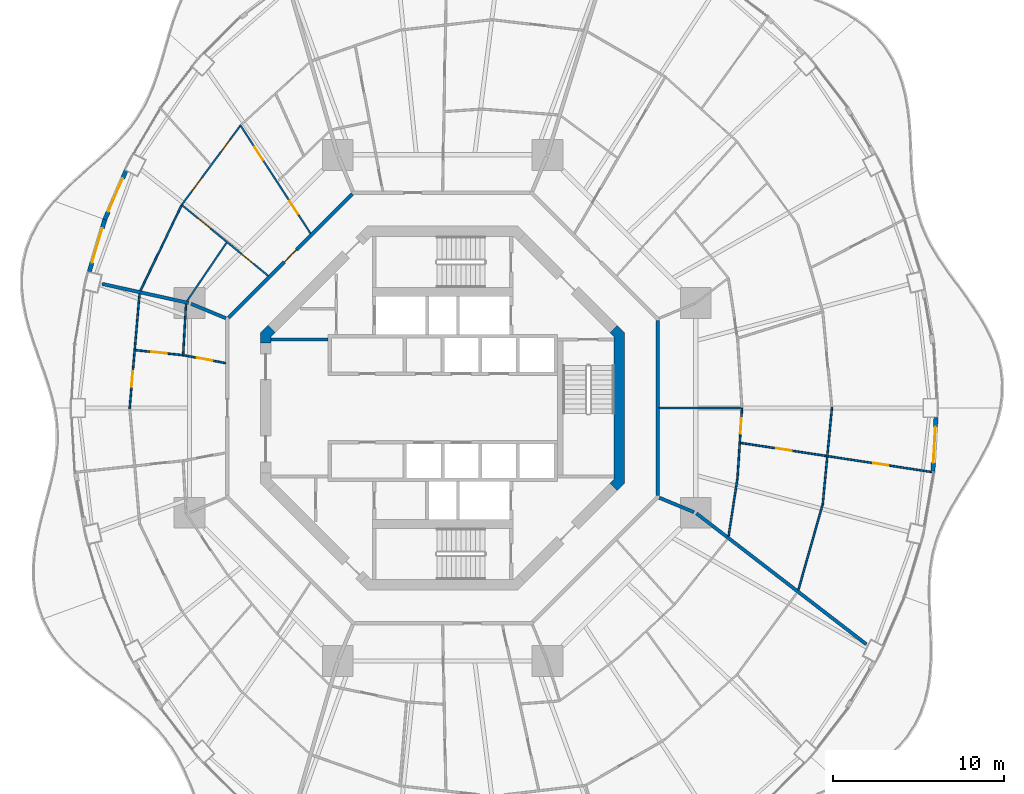
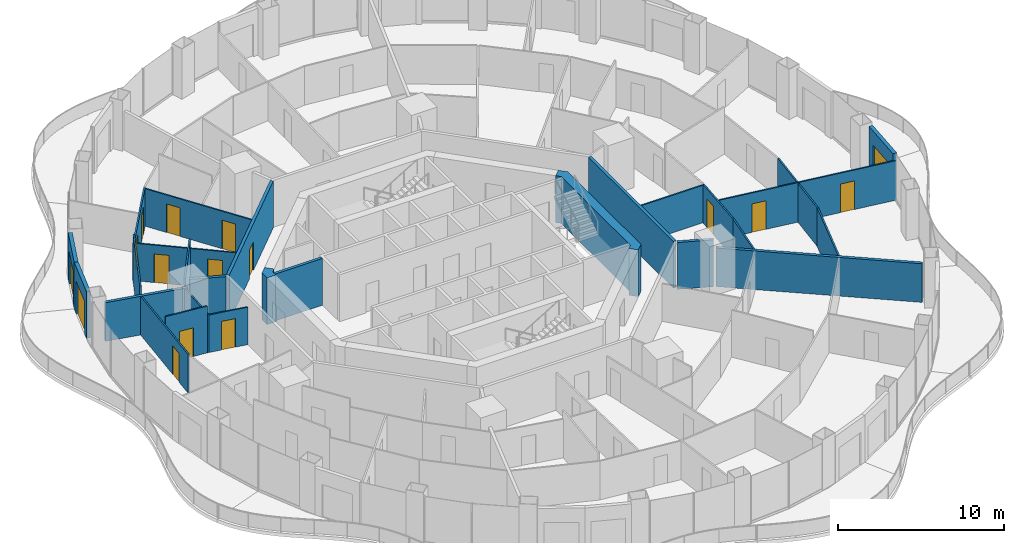
# One storey, part 13 of 19: 27 walls, 16 doors, 16 openings.
"""IFC4 building model written with IfcOpenShell, lengths in metres."""

from ifc_helpers import new_model, si_unit, direction, frame, frame_2d, origin, place, context, subcontext, project, spatial, polyline, rectangle, outline, extrude, material, layer, layer_set, type_object, element, fill, save


model = new_model("IFC4")

# Units and contexts
model_context = context("Model", 3, precision=1e-05, world=origin(), true_north=direction((0.0, 1.0)))
body_context = subcontext(model_context, "Body", "Model", "MODEL_VIEW")
ifc_project = project(units=[si_unit("LENGTHUNIT", "METRE"), si_unit("AREAUNIT", "SQUARE_METRE"), si_unit("VOLUMEUNIT", "CUBIC_METRE"), si_unit("PLANEANGLEUNIT", "RADIAN"), si_unit("MASSUNIT", "GRAM", prefix="KILO")], contexts=[model_context])

# Site, building, storey
site_placement = place(None, origin())
site = spatial("IfcSite", under=ifc_project, at=site_placement, CompositionType="ELEMENT")
building_placement = place(site_placement, origin())
building = spatial("IfcBuilding", under=site, at=building_placement, Name="Nagisa Residences", CompositionType="ELEMENT")
storey_placement = place(building_placement, frame((0.0, 0.0, 184.39990234375)))
storey = spatial("IfcBuildingStorey", under=building, at=storey_placement, Name="L46", CompositionType="ELEMENT", Elevation=184.39990234375)

# Walls
ifc_material_1 = material(Name="Gypsum board on steel studs", Category="steel")
ifc_layer_1 = layer(ifc_material_1, 0.199951171875)
ifc_layer_set_1 = layer_set([ifc_layer_1], Name="Apartment compartment wall EI60 200")
wall_type_1 = type_object("IfcWallType", Name="Apartment compartment wall EI60 200", PredefinedType="PARTITIONING", material=ifc_layer_set_1)
wall_1_placement = place(storey_placement, frame((-12.6572265625, 5.24267578125, 0.0), z_axis=(0.0, 0.0, 1.0), x_axis=(-0.923859888513, 0.38273085373, 0.0)))
element("IfcWall", 1, at=wall_1_placement, inside=storey, type_object=wall_type_1, Name="wall:L46:u04", PredefinedType="PARTITIONING", context=body_context, shape_type="SweptSolid", body=[
    extrude(rectangle(XDim=2.199462890625, YDim=0.199951171875, at=frame_2d((1.099609375, 0.0))), origin(), (0.0, 0.0, 1.0), 3.440185546875),
])
wall_2_placement = place(storey_placement, frame((-14.830810546875, 6.133544921875, 0.0), z_axis=(0.0, 0.0, 1.0), x_axis=(-0.976568396888, 0.215207263354, 0.0)))
element("IfcWall", 2, at=wall_2_placement, inside=storey, type_object=wall_type_1, Name="wall:L46:u05", PredefinedType="PARTITIONING", context=body_context, shape_type="SweptSolid", body=[
    extrude(rectangle(XDim=5.176513671875, YDim=0.199951171875, at=frame_2d((2.58837890625, 0.0))), origin(), (0.0, 0.0, 1.0), 2.837158203125),
])
wall_3_placement = place(storey_placement, frame((12.6572265625, -5.24267578125, 0.0), z_axis=(0.0, 0.0, 1.0), x_axis=(0.92383017907, -0.382802560388, 0.0)))
element("IfcWall", 3, at=wall_3_placement, inside=storey, type_object=wall_type_1, Name="wall:L46:u08", PredefinedType="PARTITIONING", context=body_context, shape_type="SweptSolid", body=[
    extrude(rectangle(XDim=2.2001953125, YDim=0.199951171875, at=frame_2d((1.10009765625, 0.0))), origin(), (0.0, 0.0, 1.0), 3.440185546875),
])
wall_4_placement = place(storey_placement, frame((14.82177734375, -6.153564453125, 0.0), z_axis=(0.0, 0.0, 1.0), x_axis=(0.792203056092, -0.610257583254, 0.0)))
element("IfcWall", 4, at=wall_4_placement, inside=storey, type_object=wall_type_1, Name="wall:L46:u09", PredefinedType="PARTITIONING", context=body_context, shape_type="SweptSolid", body=[
    extrude(rectangle(XDim=12.53271484375, YDim=0.199951171875, at=frame_2d((6.266357421875, 0.0))), origin(), (0.0, 0.0, 1.0), 2.837158203125),
])
ifc_material_2 = material(Name="Gypsum board on steel studs", Category="steel")
ifc_layer_2 = layer(ifc_material_2, 0.199951171875)
ifc_layer_set_2 = layer_set([ifc_layer_2], Name="Apartment entry wall EI60 200")
wall_type_2 = type_object("IfcWallType", Name="Apartment entry wall EI60 200", PredefinedType="PARTITIONING", material=ifc_layer_set_2)
wall_5_placement = place(storey_placement, frame((12.564697265625, -5.1044921875, 0.0), z_axis=(0.0, 0.0, 1.0), x_axis=(0.0, 1.0, 0.0)))
element("IfcWall", 5, at=wall_5_placement, inside=storey, type_object=wall_type_2, Name="wall:L46:u10", PredefinedType="PARTITIONING", context=body_context, shape_type="SweptSolid", body=[
    extrude(rectangle(XDim=10.208984375, YDim=0.199951171875, at=frame_2d((5.1044921875, 0.0))), origin(), (0.0, 0.0, 1.0), 3.440185546875),
])

# Wall, opening, door
wall_6_placement = place(storey_placement, frame((-5.275146484375, 12.494140625, 0.0), z_axis=(0.0, 0.0, 1.0), x_axis=(-0.707106781187, -0.707106781187, 0.0)))
wall_6 = element("IfcWall", 6, at=wall_6_placement, inside=storey, type_object=wall_type_2, Name="wall:L46:u13", PredefinedType="PARTITIONING", context=body_context, shape_type="SweptSolid", body=[
    extrude(rectangle(XDim=10.209228515625, YDim=0.199951171875, at=frame_2d((5.1044921875, 0.0))), origin(), (0.0, 0.0, 1.0), 3.440185546875),
])
opening_1_placement = place(wall_6_placement, frame((4.6044921875, 0.0, 0.0)))
opening_1 = element("IfcOpeningElement", 7, at=opening_1_placement, cuts=wall_6, Name="Opening L46-U01", PredefinedType="OPENING", context=body_context, shape_type="SweptSolid", body=[
    extrude(rectangle(XDim=1.0, YDim=2.10009765625, at=frame_2d((0.5, 1.050048828125))), frame((0.0, 0.10986328125, 0.0), z_axis=(0.0, -1.0, 0.0), x_axis=(1.0, 0.0, 0.0)), (0.0, 0.0, 1.0), 0.219970703125),
])
ifc_material_3 = material(Name="Timber fire door set", Category="wood")
door_type_1 = type_object("IfcDoorType", Name="Apartment entry door FD30S 1000x2100", OperationType="NOTDEFINED", PredefinedType="DOOR", material=ifc_material_3)
door_1_placement = place(opening_1_placement, frame((1.0, 0.0, 0.0), x_axis=(-1.0, 0.0, 0.0)))
door_1 = element("IfcDoor", 8, at=door_1_placement, inside=storey, type_object=door_type_1, Name="Entry door, Apartment 46A", OperationType="SINGLE_SWING_RIGHT", OverallHeight=2.10009765625, OverallWidth=1.0, PredefinedType="DOOR", context=body_context, shape_type="SweptSolid", body=[
    extrude(rectangle(XDim=1.0, YDim=2.10009765625, at=frame_2d((0.5, 1.050048828125))), frame((0.0, 0.02490234375, 0.0), z_axis=(0.0, -1.0, 0.0), x_axis=(1.0, 0.0, 0.0)), (0.0, 0.0, 1.0), 0.050048828125),
])
fill(opening_1, door_1)

# Wall
ifc_material_4 = material(Name="Gypsum board on steel studs", Category="steel")
ifc_layer_3 = layer(ifc_material_4, 0.10009765625)
ifc_layer_set_3 = layer_set([ifc_layer_3], Name="Apartment partition 100")
wall_type_3 = type_object("IfcWallType", Name="Apartment partition 100", PredefinedType="PARTITIONING", material=ifc_layer_set_3)
wall_7_placement = place(storey_placement, frame((12.664794921875, 0.0, 0.0), z_axis=(0.0, 0.0, 1.0), x_axis=(1.0, 0.0, 0.0)))
element("IfcWall", 9, at=wall_7_placement, inside=storey, type_object=wall_type_3, Name="wall:L46:u18", PredefinedType="PARTITIONING", context=body_context, shape_type="SweptSolid", body=[
    extrude(rectangle(XDim=4.873046875, YDim=0.10009765625, at=frame_2d((2.4365234375, 0.0))), origin(), (0.0, 0.0, 1.0), 2.756103515625),
])

# Wall, opening, door
wall_8_placement = place(storey_placement, frame((17.484619140625, -0.0498046875, 0.0), z_axis=(0.0, 0.0, 1.0), x_axis=(-0.063673473968, -0.997970785501, 0.0)))
wall_8 = element("IfcWall", 10, at=wall_8_placement, inside=storey, type_object=wall_type_3, Name="wall:L46:u20", PredefinedType="PARTITIONING", context=body_context, shape_type="SweptSolid", body=[
    extrude(rectangle(XDim=4.072021484375, YDim=0.10009765625, at=frame_2d((2.0361328125, 0.0))), origin(), (0.0, 0.0, 1.0), 2.837158203125),
])
opening_2_placement = place(wall_8_placement, frame((0.54296875, 0.0, 0.0)))
opening_2 = element("IfcOpeningElement", 11, at=opening_2_placement, cuts=wall_8, Name="Opening L46-U45", PredefinedType="OPENING", context=body_context, shape_type="SweptSolid", body=[
    extrude(rectangle(XDim=0.89990234375, YDim=2.10009765625, at=frame_2d((0.449951171875, 1.050048828125))), frame((0.0, 0.06005859375, 0.0), z_axis=(0.0, -1.0, 0.0), x_axis=(1.0, 0.0, 0.0)), (0.0, 0.0, 1.0), 0.1201171875),
])
ifc_material_5 = material(Name="Timber door set", Category="wood")
door_type_2 = type_object("IfcDoorType", Name="Apartment door 900x2100", OperationType="NOTDEFINED", PredefinedType="DOOR", material=ifc_material_5)
door_2_placement = place(opening_2_placement, frame((0.89990234375, 0.0, 0.0), x_axis=(-1.0, 0.0, 0.0)))
door_2 = element("IfcDoor", 12, at=door_2_placement, inside=storey, type_object=door_type_2, Name="Door to laundry, Apartment 46D", OperationType="SINGLE_SWING_RIGHT", OverallHeight=2.10009765625, OverallWidth=0.89990234375, PredefinedType="DOOR", context=body_context, shape_type="SweptSolid", body=[
    extrude(rectangle(XDim=0.89990234375, YDim=2.10009765625, at=frame_2d((0.449951171875, 1.050048828125))), frame((0.0, 0.02490234375, 0.0), z_axis=(0.0, -1.0, 0.0), x_axis=(1.0, 0.0, 0.0)), (0.0, 0.0, 1.0), 0.050048828125),
])
fill(opening_2, door_2)

# Wall
wall_9_placement = place(storey_placement, frame((22.743896484375, 0.0498046875, 0.0), z_axis=(0.0, 0.0, 1.0), x_axis=(-0.094931362305, -0.995483820286, 0.0)))
element("IfcWall", 13, at=wall_9_placement, inside=storey, type_object=wall_type_3, Name="wall:L46:u22", PredefinedType="PARTITIONING", context=body_context, shape_type="SweptSolid", body=[
    extrude(rectangle(XDim=5.747802734375, YDim=0.10009765625, at=frame_2d((2.8740234375, 0.0))), origin(), (0.0, 0.0, 1.0), 2.837158203125),
])

# Wall, openings, doors
wall_10_placement = place(storey_placement, frame((-7.71240234375, 10.1953125, 0.0), z_axis=(0.0, 0.0, 1.0), x_axis=(-0.544179442551, 0.838968851809, 0.0)))
wall_10 = element("IfcWall", 14, at=wall_10_placement, inside=storey, type_object=wall_type_3, Name="wall:L46:u49", PredefinedType="PARTITIONING", context=body_context, shape_type="SweptSolid", body=[
    extrude(rectangle(XDim=7.56640625, YDim=0.10009765625, at=frame_2d((3.783203125, 0.0))), origin(), (0.0, 0.0, 1.0), 2.756103515625),
])
opening_3_placement = place(wall_10_placement, frame((1.3427734375, 0.0, 0.0)))
opening_3 = element("IfcOpeningElement", 15, at=opening_3_placement, cuts=wall_10, Name="Opening L46-U02", PredefinedType="OPENING", context=body_context, shape_type="SweptSolid", body=[
    extrude(rectangle(XDim=0.89990234375, YDim=2.10009765625, at=frame_2d((0.449951171875, 1.050048828125))), frame((0.0, 0.06005859375, 0.0), z_axis=(0.0, -1.0, 0.0), x_axis=(1.0, 0.0, 0.0)), (0.0, 0.0, 1.0), 0.1201171875),
])
opening_4_placement = place(wall_10_placement, frame((5.100830078125, 0.0, 0.0)))
opening_4 = element("IfcOpeningElement", 16, at=opening_4_placement, cuts=wall_10, Name="Opening L46-U04", PredefinedType="OPENING", context=body_context, shape_type="SweptSolid", body=[
    extrude(rectangle(XDim=0.89990234375, YDim=2.10009765625, at=frame_2d((0.449951171875, 1.050048828125))), frame((0.0, 0.06005859375, 0.0), z_axis=(0.0, -1.0, 0.0), x_axis=(1.0, 0.0, 0.0)), (0.0, 0.0, 1.0), 0.1201171875),
])
door_3_placement = place(opening_3_placement, frame((0.89990234375, 0.0, 0.0), x_axis=(-1.0, 0.0, 0.0)))
door_3 = element("IfcDoor", 17, at=door_3_placement, inside=storey, type_object=door_type_2, Name="Door to store, Apartment 46A", OperationType="SINGLE_SWING_LEFT", OverallHeight=2.10009765625, OverallWidth=0.89990234375, PredefinedType="DOOR", context=body_context, shape_type="SweptSolid", body=[
    extrude(rectangle(XDim=0.89990234375, YDim=2.10009765625, at=frame_2d((0.449951171875, 1.050048828125))), frame((0.0, 0.02490234375, 0.0), z_axis=(0.0, -1.0, 0.0), x_axis=(1.0, 0.0, 0.0)), (0.0, 0.0, 1.0), 0.050048828125),
])
fill(opening_3, door_3)
door_4_placement = place(opening_4_placement, frame((0.89990234375, 0.0, 0.0), x_axis=(-1.0, 0.0, 0.0)))
door_4 = element("IfcDoor", 18, at=door_4_placement, inside=storey, type_object=door_type_2, Name="Door to family bathroom, Apartment 46A", OperationType="SINGLE_SWING_LEFT", OverallHeight=2.10009765625, OverallWidth=0.89990234375, PredefinedType="DOOR", context=body_context, shape_type="SweptSolid", body=[
    extrude(rectangle(XDim=0.89990234375, YDim=2.10009765625, at=frame_2d((0.449951171875, 1.050048828125))), frame((0.0, 0.02490234375, 0.0), z_axis=(0.0, -1.0, 0.0), x_axis=(1.0, 0.0, 0.0)), (0.0, 0.0, 1.0), 0.050048828125),
])
fill(opening_4, door_4)

wall_11_placement = place(storey_placement, frame((-11.832275390625, 16.461181640625, 0.0), z_axis=(0.0, 0.0, 1.0), x_axis=(-0.594704483906, -0.803944386647, 0.0)))
wall_11 = element("IfcWall", 19, at=wall_11_placement, inside=storey, type_object=wall_type_3, Name="wall:L46:u50", PredefinedType="PARTITIONING", context=body_context, shape_type="SweptSolid", body=[
    extrude(rectangle(XDim=5.671875, YDim=0.10009765625, at=frame_2d((2.8359375, 0.0))), origin(), (0.0, 0.0, 1.0), 2.837158203125),
])
opening_5_placement = place(wall_11_placement, frame((0.968017578125, 0.0, 0.0)))
opening_5 = element("IfcOpeningElement", 20, at=opening_5_placement, cuts=wall_11, Name="Opening L46-U06", PredefinedType="OPENING", context=body_context, shape_type="SweptSolid", body=[
    extrude(rectangle(XDim=0.89990234375, YDim=2.10009765625, at=frame_2d((0.449951171875, 1.050048828125))), frame((0.0, 0.06005859375, 0.0), z_axis=(0.0, -1.0, 0.0), x_axis=(1.0, 0.0, 0.0)), (0.0, 0.0, 1.0), 0.1201171875),
])
opening_6_placement = place(wall_11_placement, frame((3.8037109375, 0.0, 0.0)))
opening_6 = element("IfcOpeningElement", 21, at=opening_6_placement, cuts=wall_11, Name="Opening L46-U07", PredefinedType="OPENING", context=body_context, shape_type="SweptSolid", body=[
    extrude(rectangle(XDim=0.89990234375, YDim=2.10009765625, at=frame_2d((0.449951171875, 1.050048828125))), frame((0.0, 0.06005859375, 0.0), z_axis=(0.0, -1.0, 0.0), x_axis=(1.0, 0.0, 0.0)), (0.0, 0.0, 1.0), 0.1201171875),
])
door_5_placement = place(opening_5_placement, frame((0.89990234375, 0.0, 0.0), x_axis=(-1.0, 0.0, 0.0)))
door_5 = element("IfcDoor", 22, at=door_5_placement, inside=storey, type_object=door_type_2, Name="Door to master bedroom, Apartment 46A", OperationType="SINGLE_SWING_LEFT", OverallHeight=2.10009765625, OverallWidth=0.89990234375, PredefinedType="DOOR", context=body_context, shape_type="SweptSolid", body=[
    extrude(rectangle(XDim=0.89990234375, YDim=2.10009765625, at=frame_2d((0.449951171875, 1.050048828125))), frame((0.0, 0.02490234375, 0.0), z_axis=(0.0, -1.0, 0.0), x_axis=(1.0, 0.0, 0.0)), (0.0, 0.0, 1.0), 0.050048828125),
])
fill(opening_5, door_5)
door_6_placement = place(opening_6_placement, frame((0.89990234375, 0.0, 0.0), x_axis=(-1.0, 0.0, 0.0)))
door_6 = element("IfcDoor", 23, at=door_6_placement, inside=storey, type_object=door_type_2, Name="Door to living room, Apartment 46A", OperationType="SINGLE_SWING_RIGHT", OverallHeight=2.10009765625, OverallWidth=0.89990234375, PredefinedType="DOOR", context=body_context, shape_type="SweptSolid", body=[
    extrude(rectangle(XDim=0.89990234375, YDim=2.10009765625, at=frame_2d((0.449951171875, 1.050048828125))), frame((0.0, 0.02490234375, 0.0), z_axis=(0.0, -1.0, 0.0), x_axis=(1.0, 0.0, 0.0)), (0.0, 0.0, 1.0), 0.050048828125),
])
fill(opening_6, door_6)

wall_12_placement = place(storey_placement, frame((-10.188720703125, 7.721435546875, 0.0), z_axis=(0.0, 0.0, 1.0), x_axis=(-0.773121441079, 0.634258021112, 0.0)))
wall_12 = element("IfcWall", 24, at=wall_12_placement, inside=storey, type_object=wall_type_3, Name="wall:L46:u52", PredefinedType="PARTITIONING", context=body_context, shape_type="SweptSolid", body=[
    extrude(rectangle(XDim=6.5771484375, YDim=0.10009765625, at=frame_2d((3.28857421875, 0.0))), origin(), (0.0, 0.0, 1.0), 2.756103515625),
])
opening_7_placement = place(wall_12_placement, frame((1.103515625, 0.0, 0.0)))
opening_7 = element("IfcOpeningElement", 25, at=opening_7_placement, cuts=wall_12, Name="Opening L46-U03", PredefinedType="OPENING", context=body_context, shape_type="SweptSolid", body=[
    extrude(rectangle(XDim=0.89990234375, YDim=2.10009765625, at=frame_2d((0.449951171875, 1.050048828125))), frame((0.0, 0.06005859375, 0.0), z_axis=(0.0, -1.0, 0.0), x_axis=(1.0, 0.0, 0.0)), (0.0, 0.0, 1.0), 0.1201171875),
])
opening_8_placement = place(wall_12_placement, frame((4.366943359375, 0.0, 0.0)))
opening_8 = element("IfcOpeningElement", 26, at=opening_8_placement, cuts=wall_12, Name="Opening L46-U05", PredefinedType="OPENING", context=body_context, shape_type="SweptSolid", body=[
    extrude(rectangle(XDim=0.89990234375, YDim=2.10009765625, at=frame_2d((0.449951171875, 1.050048828125))), frame((0.0, 0.06005859375, 0.0), z_axis=(0.0, -1.0, 0.0), x_axis=(1.0, 0.0, 0.0)), (0.0, 0.0, 1.0), 0.1201171875),
])
door_7_placement = place(opening_7_placement, origin())
door_7 = element("IfcDoor", 27, at=door_7_placement, inside=storey, type_object=door_type_2, Name="Door to family bathroom, Apartment 46A", OperationType="SINGLE_SWING_LEFT", OverallHeight=2.10009765625, OverallWidth=0.89990234375, PredefinedType="DOOR", context=body_context, shape_type="SweptSolid", body=[
    extrude(rectangle(XDim=0.89990234375, YDim=2.10009765625, at=frame_2d((0.449951171875, 1.050048828125))), frame((0.0, 0.02490234375, 0.0), z_axis=(0.0, -1.0, 0.0), x_axis=(1.0, 0.0, 0.0)), (0.0, 0.0, 1.0), 0.050048828125),
])
fill(opening_7, door_7)
door_8_placement = place(opening_8_placement, origin())
door_8 = element("IfcDoor", 28, at=door_8_placement, inside=storey, type_object=door_type_2, Name="Door to kitchen, Apartment 46A", OperationType="SINGLE_SWING_LEFT", OverallHeight=2.10009765625, OverallWidth=0.89990234375, PredefinedType="DOOR", context=body_context, shape_type="SweptSolid", body=[
    extrude(rectangle(XDim=0.89990234375, YDim=2.10009765625, at=frame_2d((0.449951171875, 1.050048828125))), frame((0.0, 0.02490234375, 0.0), z_axis=(0.0, -1.0, 0.0), x_axis=(1.0, 0.0, 0.0)), (0.0, 0.0, 1.0), 0.050048828125),
])
fill(opening_8, door_8)

# Walls
wall_13_placement = place(storey_placement, frame((-12.61865234375, 9.650390625, 0.0), z_axis=(0.0, 0.0, 1.0), x_axis=(-0.561046521684, -0.82778427172, 0.0)))
element("IfcWall", 29, at=wall_13_placement, inside=storey, type_object=wall_type_3, Name="wall:L46:u53", PredefinedType="PARTITIONING", context=body_context, shape_type="SweptSolid", body=[
    extrude(rectangle(XDim=4.108642578125, YDim=0.10009765625, at=frame_2d((2.05419921875, 0.0))), origin(), (0.0, 0.0, 1.0), 3.440185546875),
])
wall_14_placement = place(storey_placement, frame((-15.2568359375, 11.816162109375, 0.0), z_axis=(0.0, 0.0, 1.0), x_axis=(-0.434027506504, -0.900899619046, 0.0)))
element("IfcWall", 30, at=wall_14_placement, inside=storey, type_object=wall_type_3, Name="wall:L46:u54", PredefinedType="PARTITIONING", context=body_context, shape_type="SweptSolid", body=[
    extrude(rectangle(XDim=5.508056640625, YDim=0.10009765625, at=frame_2d((2.75390625, 0.0))), origin(), (0.0, 0.0, 1.0), 3.440185546875),
])
wall_15_placement = place(storey_placement, frame((-14.985595703125, 6.066650390625, 0.0), z_axis=(0.0, 0.0, 1.0), x_axis=(-0.056333452925, -0.998412010185, 0.0)))
element("IfcWall", 31, at=wall_15_placement, inside=storey, type_object=wall_type_3, Name="wall:L46:u55", PredefinedType="PARTITIONING", context=body_context, shape_type="SweptSolid", body=[
    extrude(rectangle(XDim=3.0380859375, YDim=0.10009765625, at=frame_2d((1.51904296875, 0.0))), origin(), (0.0, 0.0, 1.0), 2.837158203125),
])

# Wall, opening, door
wall_16_placement = place(storey_placement, frame((-17.69970703125, 6.664306640625, 0.0), z_axis=(0.0, 0.0, 1.0), x_axis=(-0.086004282666, -0.996294767307, 0.0)))
wall_16 = element("IfcWall", 32, at=wall_16_placement, inside=storey, type_object=wall_type_3, Name="wall:L46:u56", PredefinedType="PARTITIONING", context=body_context, shape_type="SweptSolid", body=[
    extrude(rectangle(XDim=6.739013671875, YDim=0.10009765625, at=frame_2d((3.36962890625, 0.0))), origin(), (0.0, 0.0, 1.0), 2.837158203125),
])
opening_9_placement = place(wall_16_placement, frame((4.5419921875, 0.0, 0.0)))
opening_9 = element("IfcOpeningElement", 33, at=opening_9_placement, cuts=wall_16, Name="Opening L46-U15", PredefinedType="OPENING", context=body_context, shape_type="SweptSolid", body=[
    extrude(rectangle(XDim=0.89990234375, YDim=2.10009765625, at=frame_2d((0.449951171875, 1.050048828125))), frame((0.0, 0.06005859375, 0.0), z_axis=(0.0, -1.0, 0.0), x_axis=(1.0, 0.0, 0.0)), (0.0, 0.0, 1.0), 0.1201171875),
])
door_9_placement = place(opening_9_placement, frame((0.89990234375, 0.0, 0.0), x_axis=(-1.0, 0.0, 0.0)))
door_9 = element("IfcDoor", 34, at=door_9_placement, inside=storey, type_object=door_type_2, Name="Door to bedroom, Apartment 46B", OperationType="SINGLE_SWING_RIGHT", OverallHeight=2.10009765625, OverallWidth=0.89990234375, PredefinedType="DOOR", context=body_context, shape_type="SweptSolid", body=[
    extrude(rectangle(XDim=0.89990234375, YDim=2.10009765625, at=frame_2d((0.449951171875, 1.050048828125))), frame((0.0, 0.02490234375, 0.0), z_axis=(0.0, -1.0, 0.0), x_axis=(1.0, 0.0, 0.0)), (0.0, 0.0, 1.0), 0.050048828125),
])
fill(opening_9, door_9)

wall_17_placement = place(storey_placement, frame((-12.6630859375, 2.62060546875, 0.0), z_axis=(0.0, 0.0, 1.0), x_axis=(-0.983176884312, 0.182655999505, 0.0)))
wall_17 = element("IfcWall", 35, at=wall_17_placement, inside=storey, type_object=wall_type_3, Name="wall:L46:u57", PredefinedType="PARTITIONING", context=body_context, shape_type="SweptSolid", body=[
    extrude(rectangle(XDim=2.4833984375, YDim=0.10009765625, at=frame_2d((1.24169921875, 0.0))), origin(), (0.0, 0.0, 1.0), 2.756103515625),
])
opening_10_placement = place(wall_17_placement, frame((0.791748046875, 0.0, 0.0)))
opening_10 = element("IfcOpeningElement", 36, at=opening_10_placement, cuts=wall_17, Name="Opening L46-U10", PredefinedType="OPENING", context=body_context, shape_type="SweptSolid", body=[
    extrude(rectangle(XDim=0.89990234375, YDim=2.10009765625, at=frame_2d((0.449951171875, 1.050048828125))), frame((0.0, 0.06005859375, 0.0), z_axis=(0.0, -1.0, 0.0), x_axis=(1.0, 0.0, 0.0)), (0.0, 0.0, 1.0), 0.1201171875),
])
door_10_placement = place(opening_10_placement, frame((0.89990234375, 0.0, 0.0), x_axis=(-1.0, 0.0, 0.0)))
door_10 = element("IfcDoor", 37, at=door_10_placement, inside=storey, type_object=door_type_2, Name="Door to family bathroom, Apartment 46B", OperationType="SINGLE_SWING_LEFT", OverallHeight=2.10009765625, OverallWidth=0.89990234375, PredefinedType="DOOR", context=body_context, shape_type="SweptSolid", body=[
    extrude(rectangle(XDim=0.89990234375, YDim=2.10009765625, at=frame_2d((0.449951171875, 1.050048828125))), frame((0.0, 0.02490234375, 0.0), z_axis=(0.0, -1.0, 0.0), x_axis=(1.0, 0.0, 0.0)), (0.0, 0.0, 1.0), 0.050048828125),
])
fill(opening_10, door_10)

wall_18_placement = place(storey_placement, frame((-15.20361328125, 3.088623046875, 0.0), z_axis=(0.0, 0.0, 1.0), x_axis=(-0.994477149695, 0.104953316934, 0.0)))
wall_18 = element("IfcWall", 38, at=wall_18_placement, inside=storey, type_object=wall_type_3, Name="wall:L46:u58", PredefinedType="PARTITIONING", context=body_context, shape_type="SweptSolid", body=[
    extrude(rectangle(XDim=2.744873046875, YDim=0.10009765625, at=frame_2d((1.37255859375, 0.0))), origin(), (0.0, 0.0, 1.0), 3.440185546875),
])
opening_11_placement = place(wall_18_placement, frame((0.92236328125, 0.0, 0.0)))
opening_11 = element("IfcOpeningElement", 39, at=opening_11_placement, cuts=wall_18, Name="Opening L46-U12", PredefinedType="OPENING", context=body_context, shape_type="SweptSolid", body=[
    extrude(rectangle(XDim=0.89990234375, YDim=2.10009765625, at=frame_2d((0.449951171875, 1.050048828125))), frame((0.0, 0.06005859375, 0.0), z_axis=(0.0, -1.0, 0.0), x_axis=(1.0, 0.0, 0.0)), (0.0, 0.0, 1.0), 0.1201171875),
])
door_11_placement = place(opening_11_placement, frame((0.89990234375, 0.0, 0.0), x_axis=(-1.0, 0.0, 0.0)))
door_11 = element("IfcDoor", 40, at=door_11_placement, inside=storey, type_object=door_type_2, Name="Door to family bathroom, Apartment 46B", OperationType="SINGLE_SWING_LEFT", OverallHeight=2.10009765625, OverallWidth=0.89990234375, PredefinedType="DOOR", context=body_context, shape_type="SweptSolid", body=[
    extrude(rectangle(XDim=0.89990234375, YDim=2.10009765625, at=frame_2d((0.449951171875, 1.050048828125))), frame((0.0, 0.02490234375, 0.0), z_axis=(0.0, -1.0, 0.0), x_axis=(1.0, 0.0, 0.0)), (0.0, 0.0, 1.0), 0.050048828125),
])
fill(opening_11, door_11)

# Walls
wall_19_placement = place(storey_placement, frame((16.704345703125, -7.4931640625, 0.0), z_axis=(0.0, 0.0, 1.0), x_axis=(0.1510806336, 0.988521442434, 0.0)))
element("IfcWall", 41, at=wall_19_placement, inside=storey, type_object=wall_type_3, Name="wall:L46:u94", PredefinedType="PARTITIONING", context=body_context, shape_type="SweptSolid", body=[
    extrude(rectangle(XDim=3.41943359375, YDim=0.10009765625, at=frame_2d((1.709716796875, 0.0))), origin(), (0.0, 0.0, 1.0), 2.837158203125),
])
wall_20_placement = place(storey_placement, frame((20.77880859375, -10.625244140625, 0.0), z_axis=(0.0, 0.0, 1.0), x_axis=(0.273819702124, 0.961781040949, 0.0)))
element("IfcWall", 42, at=wall_20_placement, inside=storey, type_object=wall_type_3, Name="wall:L46:u95", PredefinedType="PARTITIONING", context=body_context, shape_type="SweptSolid", body=[
    extrude(rectangle(XDim=5.151611328125, YDim=0.10009765625, at=frame_2d((2.57568359375, 0.0))), origin(), (0.0, 0.0, 1.0), 2.837158203125),
])

# Wall, openings, doors
wall_21_placement = place(storey_placement, frame((17.407470703125, -2.039306640625, 0.0), z_axis=(0.0, 0.0, 1.0), x_axis=(0.98858728603, -0.150649188184, 0.0)))
wall_21 = element("IfcWall", 43, at=wall_21_placement, inside=storey, type_object=wall_type_3, Name="wall:L46:u96", PredefinedType="PARTITIONING", context=body_context, shape_type="SweptSolid", body=[
    extrude(rectangle(XDim=11.44140625, YDim=0.10009765625, at=frame_2d((5.720703125, 0.0))), origin(), (0.0, 0.0, 1.0), 2.905029296875),
])
opening_12_placement = place(wall_21_placement, frame((7.831787109375, 0.0, 0.0)))
opening_12 = element("IfcOpeningElement", 44, at=opening_12_placement, cuts=wall_21, Name="Opening L46-U44", PredefinedType="OPENING", context=body_context, shape_type="SweptSolid", body=[
    extrude(rectangle(XDim=0.89990234375, YDim=2.10009765625, at=frame_2d((0.449951171875, 1.050048828125))), frame((0.0, 0.06005859375, 0.0), z_axis=(0.0, -1.0, 0.0), x_axis=(1.0, 0.0, 0.0)), (0.0, 0.0, 1.0), 0.1201171875),
])
opening_13_placement = place(wall_21_placement, frame((2.111083984375, 0.0, 0.0)))
opening_13 = element("IfcOpeningElement", 45, at=opening_13_placement, cuts=wall_21, Name="Opening L46-U46", PredefinedType="OPENING", context=body_context, shape_type="SweptSolid", body=[
    extrude(rectangle(XDim=0.89990234375, YDim=2.10009765625, at=frame_2d((0.449951171875, 1.050048828125))), frame((0.0, 0.06005859375, 0.0), z_axis=(0.0, -1.0, 0.0), x_axis=(1.0, 0.0, 0.0)), (0.0, 0.0, 1.0), 0.1201171875),
])
door_12_placement = place(opening_12_placement, frame((0.89990234375, 0.0, 0.0), x_axis=(-1.0, 0.0, 0.0)))
door_12 = element("IfcDoor", 46, at=door_12_placement, inside=storey, type_object=door_type_2, Name="Door to master bedroom, Apartment 46D", OperationType="SINGLE_SWING_LEFT", OverallHeight=2.10009765625, OverallWidth=0.89990234375, PredefinedType="DOOR", context=body_context, shape_type="SweptSolid", body=[
    extrude(rectangle(XDim=0.89990234375, YDim=2.10009765625, at=frame_2d((0.449951171875, 1.050048828125))), frame((0.0, 0.02490234375, 0.0), z_axis=(0.0, -1.0, 0.0), x_axis=(1.0, 0.0, 0.0)), (0.0, 0.0, 1.0), 0.050048828125),
])
fill(opening_12, door_12)
door_13_placement = place(opening_13_placement, frame((0.89990234375, 0.0, 0.0), x_axis=(-1.0, 0.0, 0.0)))
door_13 = element("IfcDoor", 47, at=door_13_placement, inside=storey, type_object=door_type_2, Name="Door to kitchen, Apartment 46D", OperationType="SINGLE_SWING_LEFT", OverallHeight=2.10009765625, OverallWidth=0.89990234375, PredefinedType="DOOR", context=body_context, shape_type="SweptSolid", body=[
    extrude(rectangle(XDim=0.89990234375, YDim=2.10009765625, at=frame_2d((0.449951171875, 1.050048828125))), frame((0.0, 0.02490234375, 0.0), z_axis=(0.0, -1.0, 0.0), x_axis=(1.0, 0.0, 0.0)), (0.0, 0.0, 1.0), 0.050048828125),
])
fill(opening_13, door_13)

# Wall, opening, door
ifc_material_6 = material(Name="Precast concrete C40/50", Category="concrete")
ifc_layer_4 = layer(ifc_material_6, 0.25)
ifc_layer_set_4 = layer_set([ifc_layer_4], Name="BALCONY DOOR WALL 250")
wall_type_4 = type_object("IfcWallType", Name="BALCONY DOOR WALL 250", PredefinedType="SOLIDWALL", material=ifc_layer_set_4)
wall_22_placement = place(storey_placement, frame((-19.728759765625, 11.000244140625, 0.0), z_axis=(0.0, 0.0, 1.0), x_axis=(0.397620521824, 0.917549955384, 0.0)))
wall_22 = element("IfcWall", 48, at=wall_22_placement, inside=storey, type_object=wall_type_4, Name="wall:L46:bay20", PredefinedType="SOLIDWALL", context=body_context, shape_type="SweptSolid", body=[
    extrude(rectangle(XDim=3.141845703125, YDim=0.25, at=frame_2d((1.57080078125, 0.0))), origin(), (0.0, 0.0, 1.0), 3.440185546875),
])
opening_14_placement = place(wall_22_placement, frame((0.52099609375, 0.0, 0.0)))
opening_14 = element("IfcOpeningElement", 49, at=opening_14_placement, cuts=wall_22, Name="Opening BD-L46-07", PredefinedType="OPENING", context=body_context, shape_type="SweptSolid", body=[
    extrude(rectangle(XDim=2.10009765625, YDim=2.39990234375, at=frame_2d((1.050048828125, 1.199951171875))), frame((0.0, 0.135009765625, 0.0), z_axis=(0.0, -1.0, 0.0), x_axis=(1.0, 0.0, 0.0)), (0.0, 0.0, 1.0), 0.27001953125),
])
ifc_material_7 = material(Name="Aluminium and clear glass", Category="aluminium")
door_type_3 = type_object("IfcDoorType", Name="BALCONY SLIDING DOOR 2100x2400", OperationType="SLIDING_TO_LEFT", PredefinedType="DOOR", material=ifc_material_7)
door_14_placement = place(opening_14_placement, origin())
door_14 = element("IfcDoor", 50, at=door_14_placement, inside=storey, type_object=door_type_3, Name="door:L46:bay20", OperationType="SLIDING_TO_LEFT", OverallHeight=2.39990234375, OverallWidth=2.10009765625, PredefinedType="DOOR", context=body_context, shape_type="SweptSolid", body=[
    extrude(rectangle(XDim=2.10009765625, YDim=2.39990234375, at=frame_2d((1.050048828125, 1.199951171875))), frame((0.0, 0.02490234375, 0.0), z_axis=(0.0, -1.0, 0.0), x_axis=(1.0, 0.0, 0.0)), (0.0, 0.0, 1.0), 0.050048828125),
])
fill(opening_14, door_14)

wall_23_placement = place(storey_placement, frame((-20.63330078125, 7.964599609375, 0.0), z_axis=(0.0, 0.0, 1.0), x_axis=(0.28584838049, 0.958274857946, 0.0)))
wall_23 = element("IfcWall", 51, at=wall_23_placement, inside=storey, type_object=wall_type_4, Name="wall:L46:bay21", PredefinedType="SOLIDWALL", context=body_context, shape_type="SweptSolid", body=[
    extrude(rectangle(XDim=3.182373046875, YDim=0.25, at=frame_2d((1.59130859375, 0.0))), origin(), (0.0, 0.0, 1.0), 3.440185546875),
])
opening_15_placement = place(wall_23_placement, frame((0.541259765625, 0.0, 0.0)))
opening_15 = element("IfcOpeningElement", 52, at=opening_15_placement, cuts=wall_23, Name="Opening BD-L46-08", PredefinedType="OPENING", context=body_context, shape_type="SweptSolid", body=[
    extrude(rectangle(XDim=2.10009765625, YDim=2.39990234375, at=frame_2d((1.050048828125, 1.199951171875))), frame((0.0, 0.135009765625, 0.0), z_axis=(0.0, -1.0, 0.0), x_axis=(1.0, 0.0, 0.0)), (0.0, 0.0, 1.0), 0.27001953125),
])
door_15_placement = place(opening_15_placement, origin())
door_15 = element("IfcDoor", 53, at=door_15_placement, inside=storey, type_object=door_type_3, Name="door:L46:bay21", OperationType="SLIDING_TO_LEFT", OverallHeight=2.39990234375, OverallWidth=2.10009765625, PredefinedType="DOOR", context=body_context, shape_type="SweptSolid", body=[
    extrude(rectangle(XDim=2.10009765625, YDim=2.39990234375, at=frame_2d((1.050048828125, 1.199951171875))), frame((0.0, 0.02490234375, 0.0), z_axis=(0.0, -1.0, 0.0), x_axis=(1.0, 0.0, 0.0)), (0.0, 0.0, 1.0), 0.050048828125),
])
fill(opening_15, door_15)

wall_24_placement = place(storey_placement, frame((28.818603515625, -0.5419921875, 0.0), z_axis=(0.0, 0.0, 1.0), x_axis=(-0.057532692854, -0.998343622834, 0.0)))
wall_24 = element("IfcWall", 54, at=wall_24_placement, inside=storey, type_object=wall_type_4, Name="wall:L46:bay47", PredefinedType="SOLIDWALL", context=body_context, shape_type="SweptSolid", body=[
    extrude(rectangle(XDim=3.22509765625, YDim=0.25, at=frame_2d((1.612548828125, 0.0))), origin(), (0.0, 0.0, 1.0), 3.440185546875),
])
opening_16_placement = place(wall_24_placement, frame((0.5625, 0.0, 0.0)))
opening_16 = element("IfcOpeningElement", 55, at=opening_16_placement, cuts=wall_24, Name="Opening BD-L46-16", PredefinedType="OPENING", context=body_context, shape_type="SweptSolid", body=[
    extrude(rectangle(XDim=2.10009765625, YDim=2.39990234375, at=frame_2d((1.050048828125, 1.199951171875))), frame((0.0, 0.135009765625, 0.0), z_axis=(0.0, -1.0, 0.0), x_axis=(1.0, 0.0, 0.0)), (0.0, 0.0, 1.0), 0.27001953125),
])
door_16_placement = place(opening_16_placement, origin())
door_16 = element("IfcDoor", 56, at=door_16_placement, inside=storey, type_object=door_type_3, Name="door:L46:bay47", OperationType="SLIDING_TO_LEFT", OverallHeight=2.39990234375, OverallWidth=2.10009765625, PredefinedType="DOOR", context=body_context, shape_type="SweptSolid", body=[
    extrude(rectangle(XDim=2.10009765625, YDim=2.39990234375, at=frame_2d((1.050048828125, 1.199951171875))), frame((0.0, 0.02490234375, 0.0), z_axis=(0.0, -1.0, 0.0), x_axis=(1.0, 0.0, 0.0)), (0.0, 0.0, 1.0), 0.050048828125),
])
fill(opening_16, door_16)

# Walls
ifc_material_8 = material(Name="Gypsum board on steel studs", Category="steel")
ifc_layer_5 = layer(ifc_material_8, 0.199951171875)
ifc_layer_set_5 = layer_set([ifc_layer_5], Name="Core partition 200")
wall_type_5 = type_object("IfcWallType", Name="Core partition 200", PredefinedType="PARTITIONING", material=ifc_layer_set_5)
wall_25_placement = place(storey_placement, frame((-10.024658203125, 4.0, 0.0), z_axis=(0.0, 0.0, 1.0), x_axis=(1.0, 0.0, 0.0)))
element("IfcWall", 57, at=wall_25_placement, inside=storey, type_object=wall_type_5, Name="wall:L46:PNW", PredefinedType="PARTITIONING", context=body_context, shape_type="SweptSolid", body=[
    extrude(rectangle(XDim=3.32470703125, YDim=0.199951171875, at=frame_2d((1.662353515625, 0.0))), origin(), (0.0, 0.0, 1.0), 3.440185546875),
])
ifc_material_9 = material(Name="Concrete C60", Category="concrete")
ifc_layer_6 = layer(ifc_material_9, 0.60009765625)
ifc_layer_set_6 = layer_set([ifc_layer_6], Name="Core shear wall 600")
wall_type_6 = type_object("IfcWallType", Name="Core shear wall 600", PredefinedType="SHEAR", material=ifc_layer_set_6)
wall_26_placement = place(storey_placement, origin())
element("IfcWall", 58, at=wall_26_placement, inside=storey, type_object=wall_type_6, Name="wall:L46:core:pier3", PredefinedType="SHEAR", context=body_context, shape_type="SweptSolid", body=[
    extrude(outline(polyline([(-10.200439453125, 4.8251953125), (-9.776123046875, 4.40087890625), (-10.024658203125, 4.15234375), (-10.024658203125, 3.80078125), (-10.62451171875, 3.80078125), (-10.62451171875, 4.40087890625), (-10.200439453125, 4.8251953125)])), origin(), (0.0, 0.0, 1.0), 3.440185546875),
])
wall_27_placement = place(storey_placement, origin())
element("IfcWall", 59, at=wall_27_placement, inside=storey, type_object=wall_type_6, Name="wall:L46:core:flat0", PredefinedType="SHEAR", context=body_context, shape_type="SweptSolid", body=[
    extrude(outline(polyline([(9.776123046875, -4.40087890625), (10.024658203125, -4.15234375), (10.024658203125, -3.801025390625), (10.024658203125, 4.15234375), (9.776123046875, 4.40087890625), (10.200439453125, 4.8251953125), (10.62451171875, 4.40087890625), (10.62451171875, -4.40087890625), (10.200439453125, -4.8251953125), (9.776123046875, -4.40087890625)])), origin(), (0.0, 0.0, 1.0), 3.440185546875),
])

save(model, "model.ifc")
